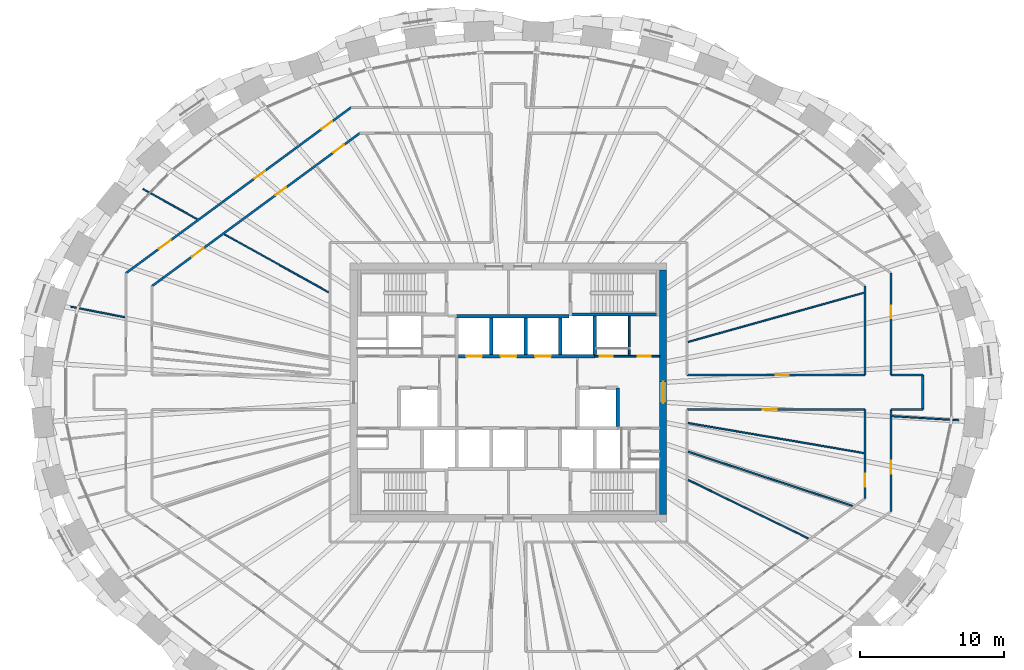
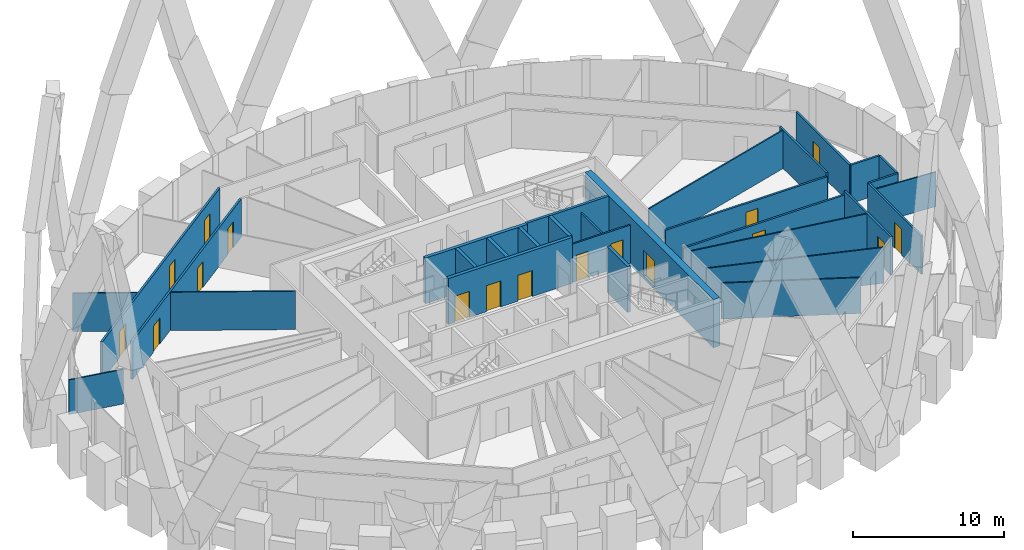
# One storey, part 11 of 15: 30 walls, 17 doors, 17 openings.
"""IFC4 building model written with IfcOpenShell, lengths in metres."""

from ifc_helpers import new_model, si_unit, direction, frame, frame_2d, origin, place, context, subcontext, project, spatial, rectangle, extrude, source, transform, mapped, material, layer, layer_set, type_object, element, fill, save


model = new_model("IFC4")

# Units and contexts
model_context = context("Model", 3, precision=1e-05, world=origin(), true_north=direction((0.0, 1.0)))
body_context = subcontext(model_context, "Body", "Model", "MODEL_VIEW")
ifc_project = project(units=[si_unit("LENGTHUNIT", "METRE"), si_unit("AREAUNIT", "SQUARE_METRE"), si_unit("VOLUMEUNIT", "CUBIC_METRE"), si_unit("PLANEANGLEUNIT", "RADIAN"), si_unit("MASSUNIT", "GRAM", prefix="KILO")], contexts=[model_context])

# Site, building, storey
site_placement = place(None, origin())
site = spatial("IfcSite", under=ifc_project, at=site_placement, CompositionType="ELEMENT")
building_placement = place(site_placement, origin())
building = spatial("IfcBuilding", under=site, at=building_placement, Name="Embergate Tower", CompositionType="ELEMENT")
storey_placement = place(building_placement, frame((0.0, 0.0, 277.300048828125)))
storey = spatial("IfcBuildingStorey", under=building, at=storey_placement, Name="L64", CompositionType="ELEMENT", Elevation=277.300048828125)

# Wall, opening, door
ifc_material_1 = material(Name="Concrete C50", Category="concrete")
ifc_layer_1 = layer(ifc_material_1, 0.5)
ifc_layer_set_1 = layer_set([ifc_layer_1], Name="Concrete C50")
wall_type_1 = type_object("IfcWallType", Name="Core outer wall C50 500", PredefinedType="SHEAR", material=ifc_layer_set_1)
shared_shape_1 = source(origin(), body_context, "Body", "SweptSolid", [
    extrude(rectangle(XDim=17.0, YDim=0.5, at=frame_2d((8.5, 0.0))), origin(), (0.0, 0.0, 1.0), 3.89990234375),
])
wall_1_placement = place(storey_placement, frame((10.75, -8.5, -0.199951171875), z_axis=(0.0, 0.0, 1.0), x_axis=(0.0, 1.0, 0.0)))
wall_1 = element("IfcWall", 1, at=wall_1_placement, inside=storey, type_object=wall_type_1, Name="CW-L64-E", PredefinedType="SHEAR", context=body_context, shape_type="MappedRepresentation", body=[
    mapped(shared_shape_1, transform((0.0, 0.0, 0.0))),
])
shared_shape_2 = source(origin(), body_context, "Body", "SweptSolid", [
    extrude(rectangle(XDim=1.5, YDim=2.10009765625, at=frame_2d((0.75, 1.050048828125))), frame((0.0, 0.260009765625, 0.0), z_axis=(0.0, -1.0, 0.0), x_axis=(1.0, 0.0, 0.0)), (0.0, 0.0, 1.0), 0.52001953125),
])
opening_1_placement = place(wall_1_placement, frame((7.75, 0.0, 0.199951171875)))
opening_1 = element("IfcOpeningElement", 2, at=opening_1_placement, cuts=wall_1, Name="Opening IF-3", PredefinedType="OPENING", context=body_context, shape_type="MappedRepresentation", body=[
    mapped(shared_shape_2, transform((0.0, 0.0, 0.0))),
])
ifc_material_2 = material(Name="Lobby fire door pair 1500")
door_type_1 = type_object("IfcDoorType", Name="Lobby fire door pair 1500", OperationType="DOUBLE_DOOR_SINGLE_SWING", PredefinedType="DOOR", material=ifc_material_2)
shared_shape_3 = source(origin(), body_context, "Body", "SweptSolid", [
    extrude(rectangle(XDim=1.5, YDim=2.10009765625, at=frame_2d((0.75, 1.050048828125))), frame((0.0, 0.02490234375, 0.0), z_axis=(0.0, -1.0, 0.0), x_axis=(1.0, 0.0, 0.0)), (0.0, 0.0, 1.0), 0.050048828125),
])
door_1_placement = place(opening_1_placement, origin())
door_1 = element("IfcDoor", 3, at=door_1_placement, inside=storey, type_object=door_type_1, Name="IF-3 door", OperationType="DOUBLE_DOOR_SINGLE_SWING", OverallHeight=2.10009765625, OverallWidth=1.5, PredefinedType="DOOR", context=body_context, shape_type="MappedRepresentation", body=[
    mapped(shared_shape_3, transform((0.0, 0.0, 0.0))),
])
fill(opening_1, door_1)

# Walls
ifc_layer_2 = layer(ifc_material_1, 0.25)
ifc_layer_set_2 = layer_set([ifc_layer_2], Name="Concrete C50")
wall_type_2 = type_object("IfcWallType", Name="Hoistway wall reinforced concrete 250", PredefinedType="SHEAR", material=ifc_layer_set_2)
shared_shape_4 = source(origin(), body_context, "Body", "SweptSolid", [
    extrude(rectangle(XDim=2.675048828125, YDim=0.25, at=frame_2d((1.33740234375, 0.0))), origin(), (0.0, 0.0, 1.0), 3.699951171875),
])
for number, where, z_axis, x_axis, name in (
    (4, (6.0, 2.625, 0.0), (0.0, 0.0, 1.0), (0.0, 1.0, 0.0), "HW-1 wall"),
    (5, (7.60009765625, -2.375, 0.0), (0.0, 0.0, 1.0), (0.0, 1.0, 0.0), "HW-1 wall"),
):
    element("IfcWall", number, at=place(storey_placement, frame(where, z_axis=z_axis, x_axis=x_axis)), inside=storey, type_object=wall_type_2, Name=name, PredefinedType="SHEAR", context=body_context, shape_type="MappedRepresentation", body=[
        mapped(shared_shape_4, transform((0.0, 0.0, 0.0))),
    ])
ifc_layer_3 = layer(ifc_material_1, 0.199951171875)
ifc_layer_set_3 = layer_set([ifc_layer_3], Name="Concrete C50")
wall_type_3 = type_object("IfcWallType", Name="Stair enclosure wall reinforced concrete 250", PredefinedType="SHEAR", material=ifc_layer_set_3)
shared_shape_5 = source(origin(), body_context, "Body", "SweptSolid", [
    extrude(rectangle(XDim=6.300048828125, YDim=0.199951171875, at=frame_2d((3.14990234375, 0.0))), origin(), (0.0, 0.0, 1.0), 3.699951171875),
])
wall_2_placement = place(storey_placement, frame((10.5, 5.39990234375, 0.0), z_axis=(0.0, 0.0, 1.0), x_axis=(-1.0, 0.0, 0.0)))
element("IfcWall", 6, at=wall_2_placement, inside=storey, type_object=wall_type_3, Name="SE-1 wall", PredefinedType="SHEAR", context=body_context, shape_type="MappedRepresentation", body=[
    mapped(shared_shape_5, transform((0.0, 0.0, 0.0))),
])
shared_shape_6 = source(origin(), body_context, "Body", "SweptSolid", [
    extrude(rectangle(XDim=2.550048828125, YDim=0.25, at=frame_2d((1.27490234375, 0.0))), origin(), (0.0, 0.0, 1.0), 3.699951171875),
])
for number, where, z_axis, x_axis, name in (
    (7, (-1.199951171875, 2.625, 0.0), (0.0, 0.0, 1.0), (0.0, 1.0, 0.0), "HW-1 wall"),
    (8, (1.199951171875, 2.625, 0.0), (0.0, 0.0, 1.0), (0.0, 1.0, 0.0), "HW-1 wall"),
    (9, (3.60009765625, 2.625, 0.0), (0.0, 0.0, 1.0), (0.0, 1.0, 0.0), "HW-1 wall"),
):
    element("IfcWall", number, at=place(storey_placement, frame(where, z_axis=z_axis, x_axis=x_axis)), inside=storey, type_object=wall_type_2, Name=name, PredefinedType="SHEAR", context=body_context, shape_type="MappedRepresentation", body=[
        mapped(shared_shape_6, transform((0.0, 0.0, 0.0))),
    ])
ifc_material_3 = material(Name="Core partition blockwork 120")
ifc_layer_4 = layer(ifc_material_3, 0.1201171875)
ifc_layer_set_4 = layer_set([ifc_layer_4], Name="Core partition blockwork 120")
wall_type_4 = type_object("IfcWallType", Name="Core partition blockwork 120", PredefinedType="PARTITIONING", material=ifc_layer_set_4)
shared_shape_7 = source(origin(), body_context, "Body", "SweptSolid", [
    extrude(rectangle(XDim=2.739990234375, YDim=0.1201171875, at=frame_2d((1.3701171875, 0.0))), origin(), (0.0, 0.0, 1.0), 3.099853515625),
])
wall_3_placement = place(storey_placement, frame((8.39990234375, 2.56005859375, 0.0), z_axis=(0.0, 0.0, 1.0), x_axis=(0.0, 1.0, 0.0)))
element("IfcWall", 10, at=wall_3_placement, inside=storey, type_object=wall_type_4, Name="IP-3 wall", PredefinedType="PARTITIONING", context=body_context, shape_type="MappedRepresentation", body=[
    mapped(shared_shape_7, transform((0.0, 0.0, 0.0))),
])
ifc_material_4 = material(Name="Corridor wall dry-lined 150")
ifc_layer_5 = layer(ifc_material_4, 0.14990234375)
ifc_layer_set_5 = layer_set([ifc_layer_5], Name="Corridor wall dry-lined 150")
wall_type_5 = type_object("IfcWallType", Name="Corridor wall dry-lined 150", PredefinedType="PARTITIONING", material=ifc_layer_set_5)
shared_shape_8 = source(origin(), body_context, "Body", "SweptSolid", [
    extrude(rectangle(XDim=2.39990234375, YDim=0.14990234375, at=frame_2d((1.199951171875, 0.0))), origin(), (0.0, 0.0, 1.0), 3.099853515625),
])
wall_4_placement = place(storey_placement, frame((28.797119140625, -1.199951171875, 0.0), z_axis=(0.0, 0.0, 1.0), x_axis=(0.0, 1.0, 0.0)))
element("IfcWall", 11, at=wall_4_placement, inside=storey, type_object=wall_type_5, Name="IP-2 wall", PredefinedType="PARTITIONING", context=body_context, shape_type="MappedRepresentation", body=[
    mapped(shared_shape_8, transform((0.0, 0.0, 0.0))),
])

# Wall, openings, doors
shared_shape_9 = source(origin(), body_context, "Body", "SweptSolid", [
    extrude(rectangle(XDim=9.47509765625, YDim=0.25, at=frame_2d((4.737548828125, 0.0))), origin(), (0.0, 0.0, 1.0), 3.699951171875),
])
wall_5_placement = place(storey_placement, frame((-3.47509765625, 2.5, 0.0), z_axis=(0.0, 0.0, 1.0), x_axis=(1.0, 0.0, 0.0)))
wall_5 = element("IfcWall", 12, at=wall_5_placement, inside=storey, type_object=wall_type_2, Name="HW-1 wall", PredefinedType="SHEAR", context=body_context, shape_type="MappedRepresentation", body=[
    mapped(shared_shape_9, transform((0.0, 0.0, 0.0))),
])
shared_shape_10 = source(origin(), body_context, "Body", "SweptSolid", [
    extrude(rectangle(XDim=1.10009765625, YDim=2.10009765625, at=frame_2d((0.550048828125, 1.050048828125))), frame((0.0, 0.135009765625, 0.0), z_axis=(0.0, -1.0, 0.0), x_axis=(1.0, 0.0, 0.0)), (0.0, 0.0, 1.0), 0.27001953125),
])
opening_2_placement = place(wall_5_placement, frame((0.52490234375, 0.0, 0.0)))
opening_2 = element("IfcOpeningElement", 13, at=opening_2_placement, cuts=wall_5, Name="Opening LD", PredefinedType="OPENING", context=body_context, shape_type="MappedRepresentation", body=[
    mapped(shared_shape_10, transform((0.0, 0.0, 0.0))),
])
opening_3_placement = place(wall_5_placement, frame((2.925048828125, 0.0, 0.0)))
opening_3 = element("IfcOpeningElement", 14, at=opening_3_placement, cuts=wall_5, Name="Opening LD", PredefinedType="OPENING", context=body_context, shape_type="MappedRepresentation", body=[
    mapped(shared_shape_10, transform((0.0, 0.0, 0.0))),
])
opening_4_placement = place(wall_5_placement, frame((5.324951171875, 0.0, 0.0)))
opening_4 = element("IfcOpeningElement", 15, at=opening_4_placement, cuts=wall_5, Name="Opening LD", PredefinedType="OPENING", context=body_context, shape_type="MappedRepresentation", body=[
    mapped(shared_shape_10, transform((0.0, 0.0, 0.0))),
])
ifc_material_5 = material(Name="Landing door sliding 1100")
door_type_2 = type_object("IfcDoorType", Name="Landing door sliding 1100", OperationType="SLIDING_TO_LEFT", PredefinedType="DOOR", material=ifc_material_5)
shared_shape_11 = source(origin(), body_context, "Body", "SweptSolid", [
    extrude(rectangle(XDim=1.10009765625, YDim=2.10009765625, at=frame_2d((0.550048828125, 1.050048828125))), frame((0.0, 0.02490234375, 0.0), z_axis=(0.0, -1.0, 0.0), x_axis=(1.0, 0.0, 0.0)), (0.0, 0.0, 1.0), 0.050048828125),
])
door_2_placement = place(opening_2_placement, origin())
door_2 = element("IfcDoor", 16, at=door_2_placement, inside=storey, type_object=door_type_2, Name="LD door", OperationType="SLIDING_TO_LEFT", OverallHeight=2.10009765625, OverallWidth=1.10009765625, PredefinedType="DOOR", context=body_context, shape_type="MappedRepresentation", body=[
    mapped(shared_shape_11, transform((0.0, 0.0, 0.0))),
])
fill(opening_2, door_2)
door_3_placement = place(opening_3_placement, origin())
door_3 = element("IfcDoor", 17, at=door_3_placement, inside=storey, type_object=door_type_2, Name="LD door", OperationType="SLIDING_TO_LEFT", OverallHeight=2.10009765625, OverallWidth=1.10009765625, PredefinedType="DOOR", context=body_context, shape_type="MappedRepresentation", body=[
    mapped(shared_shape_11, transform((0.0, 0.0, 0.0))),
])
fill(opening_3, door_3)
door_4_placement = place(opening_4_placement, origin())
door_4 = element("IfcDoor", 18, at=door_4_placement, inside=storey, type_object=door_type_2, Name="LD door", OperationType="SLIDING_TO_LEFT", OverallHeight=2.10009765625, OverallWidth=1.10009765625, PredefinedType="DOOR", context=body_context, shape_type="MappedRepresentation", body=[
    mapped(shared_shape_11, transform((0.0, 0.0, 0.0))),
])
fill(opening_4, door_4)

# Wall
shared_shape_12 = source(origin(), body_context, "Body", "SweptSolid", [
    extrude(rectangle(XDim=7.800048828125, YDim=0.25, at=frame_2d((3.89990234375, 0.0))), origin(), (0.0, 0.0, 1.0), 3.699951171875),
])
wall_6_placement = place(storey_placement, frame((4.199951171875, 5.300048828125, 0.0), z_axis=(0.0, 0.0, 1.0), x_axis=(-1.0, 0.0, 0.0)))
element("IfcWall", 19, at=wall_6_placement, inside=storey, type_object=wall_type_2, Name="HW-1 wall", PredefinedType="SHEAR", context=body_context, shape_type="MappedRepresentation", body=[
    mapped(shared_shape_12, transform((0.0, 0.0, 0.0))),
])

# Wall, openings, doors
shared_shape_13 = source(origin(), body_context, "Body", "SweptSolid", [
    extrude(rectangle(XDim=4.5, YDim=0.1201171875, at=frame_2d((2.25, 0.0))), origin(), (0.0, 0.0, 1.0), 3.099853515625),
])
wall_7_placement = place(storey_placement, frame((6.0, 2.5, 0.0), z_axis=(0.0, 0.0, 1.0), x_axis=(1.0, 0.0, 0.0)))
wall_7 = element("IfcWall", 20, at=wall_7_placement, inside=storey, type_object=wall_type_4, Name="IP-3 wall", PredefinedType="PARTITIONING", context=body_context, shape_type="MappedRepresentation", body=[
    mapped(shared_shape_13, transform((0.0, 0.0, 0.0))),
])
shared_shape_14 = source(origin(), body_context, "Body", "SweptSolid", [
    extrude(rectangle(XDim=0.89990234375, YDim=2.10009765625, at=frame_2d((0.449951171875, 1.050048828125))), frame((0.0, 0.070068359375, 0.0), z_axis=(0.0, -1.0, 0.0), x_axis=(1.0, 0.0, 0.0)), (0.0, 0.0, 1.0), 0.14013671875),
])
opening_5_placement = place(wall_7_placement, frame((0.35009765625, 0.0, 0.0)))
opening_5 = element("IfcOpeningElement", 21, at=opening_5_placement, cuts=wall_7, Name="Opening ID-1", PredefinedType="OPENING", context=body_context, shape_type="MappedRepresentation", body=[
    mapped(shared_shape_14, transform((0.0, 0.0, 0.0))),
])
opening_6_placement = place(wall_7_placement, frame((3.0, 0.0, 0.0)))
opening_6 = element("IfcOpeningElement", 22, at=opening_6_placement, cuts=wall_7, Name="Opening ID-1", PredefinedType="OPENING", context=body_context, shape_type="MappedRepresentation", body=[
    mapped(shared_shape_14, transform((0.0, 0.0, 0.0))),
])
ifc_material_6 = material(Name="Interior door 900")
door_type_3 = type_object("IfcDoorType", Name="Interior door 900", OperationType="SINGLE_SWING_LEFT", PredefinedType="DOOR", material=ifc_material_6)
shared_shape_15 = source(origin(), body_context, "Body", "SweptSolid", [
    extrude(rectangle(XDim=0.89990234375, YDim=2.10009765625, at=frame_2d((0.449951171875, 1.050048828125))), frame((0.0, 0.02490234375, 0.0), z_axis=(0.0, -1.0, 0.0), x_axis=(1.0, 0.0, 0.0)), (0.0, 0.0, 1.0), 0.050048828125),
])
door_5_placement = place(opening_5_placement, origin())
door_5 = element("IfcDoor", 23, at=door_5_placement, inside=storey, type_object=door_type_3, Name="ID-1 door", OperationType="SINGLE_SWING_RIGHT", OverallHeight=2.10009765625, OverallWidth=0.89990234375, PredefinedType="DOOR", context=body_context, shape_type="MappedRepresentation", body=[
    mapped(shared_shape_15, transform((0.0, 0.0, 0.0))),
])
fill(opening_5, door_5)
door_6_placement = place(opening_6_placement, origin())
door_6 = element("IfcDoor", 24, at=door_6_placement, inside=storey, type_object=door_type_3, Name="ID-1 door", OperationType="SINGLE_SWING_LEFT", OverallHeight=2.10009765625, OverallWidth=0.89990234375, PredefinedType="DOOR", context=body_context, shape_type="MappedRepresentation", body=[
    mapped(shared_shape_15, transform((0.0, 0.0, 0.0))),
])
fill(opening_6, door_6)

# Wall, opening, door
shared_shape_16 = source(origin(), body_context, "Body", "SweptSolid", [
    extrude(rectangle(XDim=12.381103515625, YDim=0.14990234375, at=frame_2d((6.1904296875, 0.0))), origin(), (0.0, 0.0, 1.0), 2.800048828125),
])
wall_8_placement = place(storey_placement, frame((12.39990234375, 1.199951171875, 0.0), z_axis=(0.0, 0.0, 1.0), x_axis=(1.0, 0.0, 0.0)))
wall_8 = element("IfcWall", 25, at=wall_8_placement, inside=storey, type_object=wall_type_5, Name="IP-2 wall", PredefinedType="PARTITIONING", context=body_context, shape_type="MappedRepresentation", body=[
    mapped(shared_shape_16, transform((0.0, 0.0, 0.0))),
])
shared_shape_17 = source(origin(), body_context, "Body", "SweptSolid", [
    extrude(rectangle(XDim=0.89990234375, YDim=2.10009765625, at=frame_2d((0.449951171875, 1.050048828125))), frame((0.0, 0.0849609375, 0.0), z_axis=(0.0, -1.0, 0.0), x_axis=(1.0, 0.0, 0.0)), (0.0, 0.0, 1.0), 0.169921875),
])
opening_7_placement = place(wall_8_placement, frame((6.176025390625, 0.0, 0.0)))
opening_7 = element("IfcOpeningElement", 26, at=opening_7_placement, cuts=wall_8, Name="Opening IF-1c", PredefinedType="OPENING", context=body_context, shape_type="MappedRepresentation", body=[
    mapped(shared_shape_17, transform((0.0, 0.0, 0.0))),
])
ifc_material_7 = material(Name="Escape fire door 900")
door_type_4 = type_object("IfcDoorType", Name="Escape fire door 900", OperationType="SINGLE_SWING_LEFT", PredefinedType="DOOR", material=ifc_material_7)
door_7_placement = place(opening_7_placement, origin())
door_7 = element("IfcDoor", 27, at=door_7_placement, inside=storey, type_object=door_type_4, Name="IF-1 door", OperationType="SINGLE_SWING_RIGHT", OverallHeight=2.10009765625, OverallWidth=0.89990234375, PredefinedType="DOOR", context=body_context, shape_type="MappedRepresentation", body=[
    mapped(shared_shape_15, transform((0.0, 0.0, 0.0))),
])
fill(opening_7, door_7)

wall_9_placement = place(storey_placement, frame((24.781005859375, -1.199951171875, 0.0), z_axis=(0.0, 0.0, 1.0), x_axis=(-1.0, 0.0, 0.0)))
wall_9 = element("IfcWall", 28, at=wall_9_placement, inside=storey, type_object=wall_type_5, Name="IP-2 wall", PredefinedType="PARTITIONING", context=body_context, shape_type="MappedRepresentation", body=[
    mapped(shared_shape_16, transform((0.0, 0.0, 0.0))),
])
shared_shape_18 = source(origin(), body_context, "Body", "SweptSolid", [
    extrude(rectangle(XDim=1.0, YDim=2.10009765625, at=frame_2d((0.5, 1.050048828125))), frame((0.0, 0.0849609375, 0.0), z_axis=(0.0, -1.0, 0.0), x_axis=(1.0, 0.0, 0.0)), (0.0, 0.0, 1.0), 0.169921875),
])
opening_8_placement = place(wall_9_placement, frame((6.1220703125, 0.0, 0.0)))
opening_8 = element("IfcOpeningElement", 29, at=opening_8_placement, cuts=wall_9, Name="Opening ID-2", PredefinedType="OPENING", context=body_context, shape_type="MappedRepresentation", body=[
    mapped(shared_shape_18, transform((0.0, 0.0, 0.0))),
])
ifc_material_8 = material(Name="Interior door 1000")
door_type_5 = type_object("IfcDoorType", Name="Interior door 1000", OperationType="SINGLE_SWING_LEFT", PredefinedType="DOOR", material=ifc_material_8)
shared_shape_19 = source(origin(), body_context, "Body", "SweptSolid", [
    extrude(rectangle(XDim=1.0, YDim=2.10009765625, at=frame_2d((0.5, 1.050048828125))), frame((0.0, 0.02490234375, 0.0), z_axis=(0.0, -1.0, 0.0), x_axis=(1.0, 0.0, 0.0)), (0.0, 0.0, 1.0), 0.050048828125),
])
door_8_placement = place(opening_8_placement, origin())
door_8 = element("IfcDoor", 30, at=door_8_placement, inside=storey, type_object=door_type_5, Name="ID-2 door", OperationType="SINGLE_SWING_LEFT", OverallHeight=2.10009765625, OverallWidth=1.0, PredefinedType="DOOR", context=body_context, shape_type="MappedRepresentation", body=[
    mapped(shared_shape_19, transform((0.0, 0.0, 0.0))),
])
fill(opening_8, door_8)

# Walls
ifc_material_9 = material(Name="Partition dry-lined 100 wet")
ifc_layer_6 = layer(ifc_material_9, 0.10009765625)
ifc_layer_set_6 = layer_set([ifc_layer_6], Name="Partition dry-lined 100 wet")
wall_type_6 = type_object("IfcWallType", Name="Partition dry-lined 100 wet", PredefinedType="PLUMBINGWALL", material=ifc_layer_set_6)
shared_shape_20 = source(origin(), body_context, "Body", "SweptSolid", [
    extrude(rectangle(XDim=9.27783203125, YDim=0.10009765625, at=frame_2d((4.638916015625, 0.0))), origin(), (0.0, 0.0, 1.0), 2.89990234375),
])
wall_10_placement = place(storey_placement, frame((12.4970703125, -6.091064453125, 0.0), z_axis=(0.0, 0.0, 1.0), x_axis=(0.898907497404, -0.438138461118, 0.0)))
element("IfcWall", 31, at=wall_10_placement, inside=storey, type_object=wall_type_6, Name="IP-1 wall", PredefinedType="PLUMBINGWALL", context=body_context, shape_type="MappedRepresentation", body=[
    mapped(shared_shape_20, transform((0.0, 0.0, 0.0))),
])
ifc_material_10 = material(Name="Partition dry-lined 100")
ifc_layer_7 = layer(ifc_material_10, 0.10009765625)
ifc_layer_set_7 = layer_set([ifc_layer_7], Name="Partition dry-lined 100")
wall_type_7 = type_object("IfcWallType", Name="Partition dry-lined 100", PredefinedType="PARTITIONING", material=ifc_layer_set_7)
shared_shape_21 = source(origin(), body_context, "Body", "SweptSolid", [
    extrude(rectangle(XDim=4.64599609375, YDim=0.10009765625, at=frame_2d((2.322998046875, 0.0))), origin(), (0.0, 0.0, 1.0), 2.800048828125),
])
wall_11_placement = place(storey_placement, frame((26.656005859375, -1.656005859375, 0.0), z_axis=(0.0, 0.0, 1.0), x_axis=(0.998075615506, -0.062008594024, 0.0)))
element("IfcWall", 32, at=wall_11_placement, inside=storey, type_object=wall_type_7, Name="IP-1 wall", PredefinedType="PARTITIONING", context=body_context, shape_type="MappedRepresentation", body=[
    mapped(shared_shape_21, transform((0.0, 0.0, 0.0))),
])
shared_shape_22 = source(origin(), body_context, "Body", "SweptSolid", [
    extrude(rectangle(XDim=3.822021484375, YDim=0.10009765625, at=frame_2d((1.9111328125, 0.0))), origin(), (0.0, 0.0, 1.0), 2.800048828125),
])
wall_12_placement = place(storey_placement, frame((-26.666015625, 5.216064453125, 0.0), z_axis=(0.0, 0.0, 1.0), x_axis=(-0.98139265486, 0.192011606386, 0.0)))
element("IfcWall", 33, at=wall_12_placement, inside=storey, type_object=wall_type_7, Name="IP-1 wall", PredefinedType="PARTITIONING", context=body_context, shape_type="MappedRepresentation", body=[
    mapped(shared_shape_22, transform((0.0, 0.0, 0.0))),
])

# Wall, openings, doors
shared_shape_23 = source(origin(), body_context, "Body", "SweptSolid", [
    extrude(rectangle(XDim=19.429931640625, YDim=0.14990234375, at=frame_2d((9.71484375, 0.0))), origin(), (0.0, 0.0, 1.0), 3.099853515625),
])
wall_13_placement = place(storey_placement, frame((-10.93310546875, 19.802001953125, 0.0), z_axis=(0.0, 0.0, 1.0), x_axis=(-0.8053507143, -0.592798639486, 0.0)))
wall_13 = element("IfcWall", 34, at=wall_13_placement, inside=storey, type_object=wall_type_5, Name="IP-2 wall", PredefinedType="PARTITIONING", context=body_context, shape_type="MappedRepresentation", body=[
    mapped(shared_shape_23, transform((0.0, 0.0, 0.0))),
])
opening_9_placement = place(wall_13_placement, frame((1.64599609375, 0.0, 0.0)))
opening_9 = element("IfcOpeningElement", 35, at=opening_9_placement, cuts=wall_13, Name="Opening IF-1c", PredefinedType="OPENING", context=body_context, shape_type="MappedRepresentation", body=[
    mapped(shared_shape_17, transform((0.0, 0.0, 0.0))),
])
opening_10_placement = place(wall_13_placement, frame((7.449462890625, 0.0, 0.0)))
opening_10 = element("IfcOpeningElement", 36, at=opening_10_placement, cuts=wall_13, Name="Opening IF-1c", PredefinedType="OPENING", context=body_context, shape_type="MappedRepresentation", body=[
    mapped(shared_shape_17, transform((0.0, 0.0, 0.0))),
])
opening_11_placement = place(wall_13_placement, frame((15.571044921875, 0.0, 0.0)))
opening_11 = element("IfcOpeningElement", 37, at=opening_11_placement, cuts=wall_13, Name="Opening ID-2", PredefinedType="OPENING", context=body_context, shape_type="MappedRepresentation", body=[
    mapped(shared_shape_18, transform((0.0, 0.0, 0.0))),
])
door_9_placement = place(opening_9_placement, origin())
door_9 = element("IfcDoor", 38, at=door_9_placement, inside=storey, type_object=door_type_4, Name="IF-1 door", OperationType="SINGLE_SWING_LEFT", OverallHeight=2.10009765625, OverallWidth=0.89990234375, PredefinedType="DOOR", context=body_context, shape_type="MappedRepresentation", body=[
    mapped(shared_shape_15, transform((0.0, 0.0, 0.0))),
])
fill(opening_9, door_9)
door_10_placement = place(opening_10_placement, origin())
door_10 = element("IfcDoor", 39, at=door_10_placement, inside=storey, type_object=door_type_4, Name="IF-1 door", OperationType="SINGLE_SWING_RIGHT", OverallHeight=2.10009765625, OverallWidth=0.89990234375, PredefinedType="DOOR", context=body_context, shape_type="MappedRepresentation", body=[
    mapped(shared_shape_15, transform((0.0, 0.0, 0.0))),
])
fill(opening_10, door_10)
door_11_placement = place(opening_11_placement, origin())
door_11 = element("IfcDoor", 40, at=door_11_placement, inside=storey, type_object=door_type_5, Name="ID-2 door", OperationType="SINGLE_SWING_LEFT", OverallHeight=2.10009765625, OverallWidth=1.0, PredefinedType="DOOR", context=body_context, shape_type="MappedRepresentation", body=[
    mapped(shared_shape_19, transform((0.0, 0.0, 0.0))),
])
fill(opening_11, door_11)

shared_shape_24 = source(origin(), body_context, "Body", "SweptSolid", [
    extrude(rectangle(XDim=17.9287109375, YDim=0.14990234375, at=frame_2d((8.96435546875, 0.0))), origin(), (0.0, 0.0, 1.0), 3.099853515625),
])
wall_14_placement = place(storey_placement, frame((-24.781005859375, 7.3740234375, 0.0), z_axis=(0.0, 0.0, 1.0), x_axis=(0.805356928681, 0.592790196803, 0.0)))
wall_14 = element("IfcWall", 41, at=wall_14_placement, inside=storey, type_object=wall_type_5, Name="IP-2 wall", PredefinedType="PARTITIONING", context=body_context, shape_type="MappedRepresentation", body=[
    mapped(shared_shape_24, transform((0.0, 0.0, 0.0))),
])
opening_12_placement = place(wall_14_placement, frame((15.681396484375, 0.0, 0.0)))
opening_12 = element("IfcOpeningElement", 42, at=opening_12_placement, cuts=wall_14, Name="Opening IF-1c", PredefinedType="OPENING", context=body_context, shape_type="MappedRepresentation", body=[
    mapped(shared_shape_17, transform((0.0, 0.0, 0.0))),
])
opening_13_placement = place(wall_14_placement, frame((10.68408203125, 0.0, 0.0)))
opening_13 = element("IfcOpeningElement", 43, at=opening_13_placement, cuts=wall_14, Name="Opening IF-1c", PredefinedType="OPENING", context=body_context, shape_type="MappedRepresentation", body=[
    mapped(shared_shape_17, transform((0.0, 0.0, 0.0))),
])
opening_14_placement = place(wall_14_placement, frame((3.449462890625, 0.0, 0.0)))
opening_14 = element("IfcOpeningElement", 44, at=opening_14_placement, cuts=wall_14, Name="Opening ID-2", PredefinedType="OPENING", context=body_context, shape_type="MappedRepresentation", body=[
    mapped(shared_shape_18, transform((0.0, 0.0, 0.0))),
])
door_12_placement = place(opening_12_placement, origin())
door_12 = element("IfcDoor", 45, at=door_12_placement, inside=storey, type_object=door_type_4, Name="IF-1 door", OperationType="SINGLE_SWING_RIGHT", OverallHeight=2.10009765625, OverallWidth=0.89990234375, PredefinedType="DOOR", context=body_context, shape_type="MappedRepresentation", body=[
    mapped(shared_shape_15, transform((0.0, 0.0, 0.0))),
])
fill(opening_12, door_12)
door_13_placement = place(opening_13_placement, origin())
door_13 = element("IfcDoor", 46, at=door_13_placement, inside=storey, type_object=door_type_4, Name="IF-1 door", OperationType="SINGLE_SWING_LEFT", OverallHeight=2.10009765625, OverallWidth=0.89990234375, PredefinedType="DOOR", context=body_context, shape_type="MappedRepresentation", body=[
    mapped(shared_shape_15, transform((0.0, 0.0, 0.0))),
])
fill(opening_13, door_13)
door_14_placement = place(opening_14_placement, origin())
door_14 = element("IfcDoor", 47, at=door_14_placement, inside=storey, type_object=door_type_5, Name="ID-2 door", OperationType="SINGLE_SWING_RIGHT", OverallHeight=2.10009765625, OverallWidth=1.0, PredefinedType="DOOR", context=body_context, shape_type="MappedRepresentation", body=[
    mapped(shared_shape_19, transform((0.0, 0.0, 0.0))),
])
fill(opening_14, door_14)

# Wall, opening, door
shared_shape_25 = source(origin(), body_context, "Body", "SweptSolid", [
    extrude(rectangle(XDim=7.083984375, YDim=0.14990234375, at=frame_2d((3.5419921875, 0.0))), origin(), (0.0, 0.0, 1.0), 3.099853515625),
])
wall_15_placement = place(storey_placement, frame((26.5810546875, -8.283935546875, 0.0), z_axis=(0.0, 0.0, 1.0), x_axis=(0.0, 1.0, 0.0)))
wall_15 = element("IfcWall", 48, at=wall_15_placement, inside=storey, type_object=wall_type_5, Name="IP-2 wall", PredefinedType="PARTITIONING", context=body_context, shape_type="MappedRepresentation", body=[
    mapped(shared_shape_25, transform((0.0, 0.0, 0.0))),
])
opening_15_placement = place(wall_15_placement, frame((2.611328125, 0.0, 0.0)))
opening_15 = element("IfcOpeningElement", 49, at=opening_15_placement, cuts=wall_15, Name="Opening IF-1c", PredefinedType="OPENING", context=body_context, shape_type="MappedRepresentation", body=[
    mapped(shared_shape_17, transform((0.0, 0.0, 0.0))),
])
door_15_placement = place(opening_15_placement, origin())
door_15 = element("IfcDoor", 50, at=door_15_placement, inside=storey, type_object=door_type_4, Name="IF-1 door", OperationType="SINGLE_SWING_LEFT", OverallHeight=2.10009765625, OverallWidth=0.89990234375, PredefinedType="DOOR", context=body_context, shape_type="MappedRepresentation", body=[
    mapped(shared_shape_15, transform((0.0, 0.0, 0.0))),
])
fill(opening_15, door_15)

wall_16_placement = place(storey_placement, frame((26.5810546875, 1.199951171875, 0.0), z_axis=(0.0, 0.0, 1.0), x_axis=(0.0, 1.0, 0.0)))
wall_16 = element("IfcWall", 51, at=wall_16_placement, inside=storey, type_object=wall_type_5, Name="IP-2 wall", PredefinedType="PARTITIONING", context=body_context, shape_type="MappedRepresentation", body=[
    mapped(shared_shape_25, transform((0.0, 0.0, 0.0))),
])
opening_16_placement = place(wall_16_placement, frame((3.929931640625, 0.0, 0.0)))
opening_16 = element("IfcOpeningElement", 52, at=opening_16_placement, cuts=wall_16, Name="Opening IF-1c", PredefinedType="OPENING", context=body_context, shape_type="MappedRepresentation", body=[
    mapped(shared_shape_17, transform((0.0, 0.0, 0.0))),
])
door_16_placement = place(opening_16_placement, origin())
door_16 = element("IfcDoor", 53, at=door_16_placement, inside=storey, type_object=door_type_4, Name="IF-1 door", OperationType="SINGLE_SWING_LEFT", OverallHeight=2.10009765625, OverallWidth=0.89990234375, PredefinedType="DOOR", context=body_context, shape_type="MappedRepresentation", body=[
    mapped(shared_shape_15, transform((0.0, 0.0, 0.0))),
])
fill(opening_16, door_16)

# Walls
shared_shape_26 = source(origin(), body_context, "Body", "SweptSolid", [
    extrude(rectangle(XDim=2.216064453125, YDim=0.14990234375, at=frame_2d((1.10791015625, 0.0))), origin(), (0.0, 0.0, 1.0), 3.099853515625),
])
for number, where, z_axis, x_axis, name in (
    (54, (26.5810546875, -1.199951171875, 0.0), (0.0, 0.0, 1.0), (1.0, 0.0, 0.0), "IP-2 wall"),
    (55, (28.797119140625, 1.199951171875, 0.0), (0.0, 0.0, 1.0), (-1.0, 0.0, 0.0), "IP-2 wall"),
):
    element("IfcWall", number, at=place(storey_placement, frame(where, z_axis=z_axis, x_axis=x_axis)), inside=storey, type_object=wall_type_5, Name=name, PredefinedType="PARTITIONING", context=body_context, shape_type="MappedRepresentation", body=[
        mapped(shared_shape_26, transform((0.0, 0.0, 0.0))),
    ])
shared_shape_27 = source(origin(), body_context, "Body", "SweptSolid", [
    extrude(rectangle(XDim=6.174072265625, YDim=0.14990234375, at=frame_2d((3.0869140625, 0.0))), origin(), (0.0, 0.0, 1.0), 3.099853515625),
])
wall_17_placement = place(storey_placement, frame((24.781005859375, 1.199951171875, 0.0), z_axis=(0.0, 0.0, 1.0), x_axis=(0.0, 1.0, 0.0)))
element("IfcWall", 56, at=wall_17_placement, inside=storey, type_object=wall_type_5, Name="IP-2 wall", PredefinedType="PARTITIONING", context=body_context, shape_type="MappedRepresentation", body=[
    mapped(shared_shape_27, transform((0.0, 0.0, 0.0))),
])

# Wall, opening, door
wall_18_placement = place(storey_placement, frame((24.781005859375, -1.199951171875, 0.0), z_axis=(0.0, 0.0, 1.0), x_axis=(0.0, -1.0, 0.0)))
wall_18 = element("IfcWall", 57, at=wall_18_placement, inside=storey, type_object=wall_type_5, Name="IP-2 wall", PredefinedType="PARTITIONING", context=body_context, shape_type="MappedRepresentation", body=[
    mapped(shared_shape_27, transform((0.0, 0.0, 0.0))),
])
opening_17_placement = place(wall_18_placement, frame((4.465087890625, 0.0, 0.0)))
opening_17 = element("IfcOpeningElement", 58, at=opening_17_placement, cuts=wall_18, Name="Opening IF-1c", PredefinedType="OPENING", context=body_context, shape_type="MappedRepresentation", body=[
    mapped(shared_shape_17, transform((0.0, 0.0, 0.0))),
])
door_17_placement = place(opening_17_placement, origin())
door_17 = element("IfcDoor", 59, at=door_17_placement, inside=storey, type_object=door_type_4, Name="IF-1 door", OperationType="SINGLE_SWING_LEFT", OverallHeight=2.10009765625, OverallWidth=0.89990234375, PredefinedType="DOOR", context=body_context, shape_type="MappedRepresentation", body=[
    mapped(shared_shape_15, transform((0.0, 0.0, 0.0))),
])
fill(opening_17, door_17)

# Walls
shared_shape_28 = source(origin(), body_context, "Body", "SweptSolid", [
    extrude(rectangle(XDim=12.673583984375, YDim=0.10009765625, at=frame_2d((6.3369140625, 0.0))), origin(), (0.0, 0.0, 1.0), 3.099853515625),
])
wall_19_placement = place(storey_placement, frame((24.693115234375, 6.916015625, 0.0), z_axis=(0.0, 0.0, 1.0), x_axis=(-0.962947212239, -0.269689945014, 0.0)))
element("IfcWall", 60, at=wall_19_placement, inside=storey, type_object=wall_type_7, Name="IP-1 wall", PredefinedType="PARTITIONING", context=body_context, shape_type="MappedRepresentation", body=[
    mapped(shared_shape_28, transform((0.0, 0.0, 0.0))),
])
shared_shape_29 = source(origin(), body_context, "Body", "SweptSolid", [
    extrude(rectangle(XDim=12.01806640625, YDim=0.10009765625, at=frame_2d((6.009033203125, 0.0))), origin(), (0.0, 0.0, 1.0), 2.89990234375),
])
wall_20_placement = place(storey_placement, frame((12.490966796875, -4.1240234375, 0.0), z_axis=(0.0, 0.0, 1.0), x_axis=(0.949577371286, -0.313532798828, 0.0)))
element("IfcWall", 61, at=wall_20_placement, inside=storey, type_object=wall_type_7, Name="IP-1 wall", PredefinedType="PARTITIONING", context=body_context, shape_type="MappedRepresentation", body=[
    mapped(shared_shape_29, transform((0.0, 0.0, 0.0))),
])
shared_shape_30 = source(origin(), body_context, "Body", "SweptSolid", [
    extrude(rectangle(XDim=12.392333984375, YDim=0.10009765625, at=frame_2d((6.1962890625, 0.0))), origin(), (0.0, 0.0, 1.0), 3.099853515625),
])
wall_21_placement = place(storey_placement, frame((12.48291015625, -2.134033203125, 0.0), z_axis=(0.0, 0.0, 1.0), x_axis=(0.985704441863, -0.168483688502, 0.0)))
element("IfcWall", 62, at=wall_21_placement, inside=storey, type_object=wall_type_7, Name="IP-1 wall", PredefinedType="PARTITIONING", context=body_context, shape_type="MappedRepresentation", body=[
    mapped(shared_shape_30, transform((0.0, 0.0, 0.0))),
])
shared_shape_31 = source(origin(), body_context, "Body", "SweptSolid", [
    extrude(rectangle(XDim=4.296875, YDim=0.10009765625, at=frame_2d((2.1484375, 0.0))), origin(), (0.0, 0.0, 1.0), 3.099853515625),
])
wall_22_placement = place(storey_placement, frame((-21.64208984375, 12.0390625, 0.0), z_axis=(0.0, 0.0, 1.0), x_axis=(-0.873878396728, 0.486144574929, 0.0)))
element("IfcWall", 63, at=wall_22_placement, inside=storey, type_object=wall_type_7, Name="IP-1 wall", PredefinedType="PARTITIONING", context=body_context, shape_type="MappedRepresentation", body=[
    mapped(shared_shape_31, transform((0.0, 0.0, 0.0))),
])
shared_shape_32 = source(origin(), body_context, "Body", "SweptSolid", [
    extrude(rectangle(XDim=8.272705078125, YDim=0.10009765625, at=frame_2d((4.13623046875, 0.0))), origin(), (0.0, 0.0, 1.0), 3.099853515625),
])
wall_23_placement = place(storey_placement, frame((-12.4990234375, 6.952880859375, 0.0), z_axis=(0.0, 0.0, 1.0), x_axis=(-0.873843879642, 0.486206616586, 0.0)))
element("IfcWall", 64, at=wall_23_placement, inside=storey, type_object=wall_type_7, Name="IP-1 wall", PredefinedType="PARTITIONING", context=body_context, shape_type="MappedRepresentation", body=[
    mapped(shared_shape_32, transform((0.0, 0.0, 0.0))),
])

save(model, "model.ifc")
